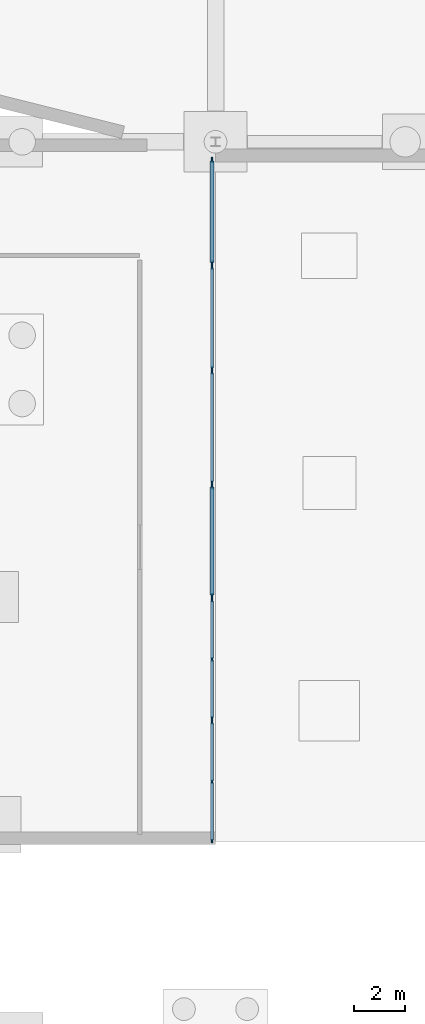
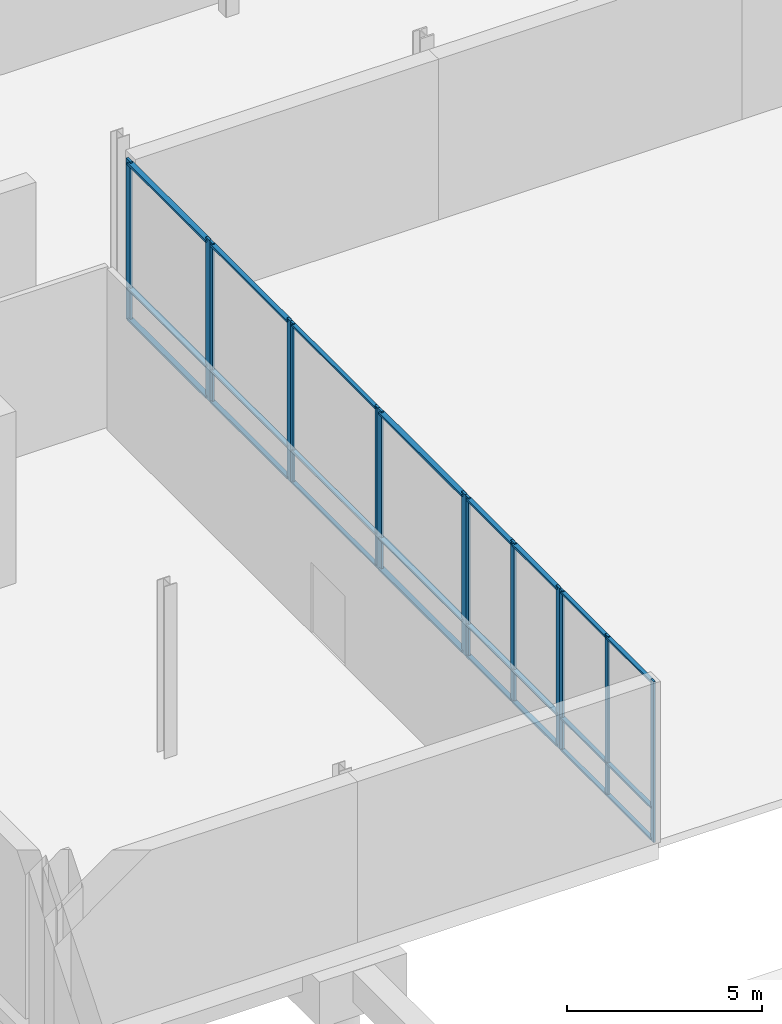
# One storey, part 36 of 60: 38 members, 6 elements without a shape of their own.
"""IFC4 building model written with IfcOpenShell, lengths in metres."""

from ifc_helpers import new_model, si_unit, direction, frame, origin, origin_2d, place, context, subcontext, project, spatial, rectangle, extrude, material, material_profile, profile_set, type_object, element, aggregate, save


model = new_model("IFC4")

# Units and contexts
model_context = context("Model", 3, precision=1e-05, world=origin(), true_north=direction((0.0, 1.0)))
body_context = subcontext(model_context, "Body", "Model", "MODEL_VIEW")
ifc_project = project(units=[si_unit("LENGTHUNIT", "METRE"), si_unit("AREAUNIT", "SQUARE_METRE"), si_unit("VOLUMEUNIT", "CUBIC_METRE"), si_unit("PLANEANGLEUNIT", "RADIAN"), si_unit("MASSUNIT", "GRAM", prefix="KILO")], contexts=[model_context])

# Site, building, storey
site_placement = place(None, origin())
site = spatial("IfcSite", under=ifc_project, at=site_placement, CompositionType="ELEMENT")
building_placement = place(site_placement, origin())
building = spatial("IfcBuilding", under=site, at=building_placement, Name="Trimount Lyric Opera House", CompositionType="ELEMENT")
storey_placement = place(building_placement, frame((0.0, 0.0, -5.39990234375)))
storey = spatial("IfcBuildingStorey", under=building, at=storey_placement, Name="B1", CompositionType="ELEMENT", Elevation=-5.39990234375)

# Curtain wall, members
ifc_material_1 = material(Name="Thermally Broken Aluminium and Low-E Glass", Category="aluminium")
curtain_wall_type = type_object("IfcCurtainWallType", Name="CW-04", PredefinedType="NOTDEFINED", material=ifc_material_1)
curtain_wall_1_placement = place(storey_placement, origin())
curtain_wall_1 = element("IfcCurtainWall", 1, at=curtain_wall_1_placement, inside=storey, type_object=curtain_wall_type, Name="B1 curtain wall 003", PredefinedType="NOTDEFINED")
ifc_material_2 = material(Name="Anodised Aluminium 6063-T6", Category="aluminium")
ifc_material_profile_1 = material_profile(ifc_material_2, rectangle(XDim=0.070068359375, YDim=0.219970703125, at=origin_2d()), Name="ALU-MULL-70X220")
ifc_profile_set_1 = profile_set([ifc_material_profile_1], Name="Anodised Aluminium 6063-T6")
member_type_1 = type_object("IfcMemberType", Name="ML-01", PredefinedType="MULLION", material=ifc_profile_set_1)
member_1_placement = place(storey_placement, frame((17.860107421875, 43.284912109375, 0.0), z_axis=(0.0, 0.0, 1.0), x_axis=(1.0, 0.0, 0.0)))
member_1 = element("IfcMember", 2, at=member_1_placement, type_object=member_type_1, Name="CW-04 mullion 1", PredefinedType="MULLION", context=body_context, shape_type="SweptSolid", body=[
    extrude(rectangle(XDim=0.070068359375, YDim=0.219970703125, at=origin_2d()), origin(), (0.0, 0.0, 1.0), 5.0498046875),
])
member_2_placement = place(storey_placement, frame((17.860107421875, 39.195068359375, 0.0), z_axis=(0.0, 0.0, 1.0), x_axis=(1.0, 0.0, 0.0)))
member_2 = element("IfcMember", 3, at=member_2_placement, type_object=member_type_1, Name="CW-04 mullion 2", PredefinedType="MULLION", context=body_context, shape_type="SweptSolid", body=[
    extrude(rectangle(XDim=0.070068359375, YDim=0.219970703125, at=origin_2d()), origin(), (0.0, 0.0, 1.0), 5.0498046875),
])

curtain_wall_2_placement = place(storey_placement, origin())
curtain_wall_2 = element("IfcCurtainWall", 4, at=curtain_wall_2_placement, inside=storey, type_object=curtain_wall_type, Name="B1 curtain wall 006", PredefinedType="NOTDEFINED")
member_3_placement = place(storey_placement, frame((17.860107421875, 30.375, 0.0), z_axis=(0.0, 0.0, 1.0), x_axis=(1.0, 0.0, 0.0)))
member_3 = element("IfcMember", 5, at=member_3_placement, type_object=member_type_1, Name="CW-04 mullion 1", PredefinedType="MULLION", context=body_context, shape_type="SweptSolid", body=[
    extrude(rectangle(XDim=0.070068359375, YDim=0.219970703125, at=origin_2d()), origin(), (0.0, 0.0, 1.0), 5.0498046875),
])
member_4_placement = place(storey_placement, frame((17.860107421875, 26.034912109375, 0.0), z_axis=(0.0, 0.0, 1.0), x_axis=(1.0, 0.0, 0.0)))
member_4 = element("IfcMember", 6, at=member_4_placement, type_object=member_type_1, Name="CW-04 mullion 2", PredefinedType="MULLION", context=body_context, shape_type="SweptSolid", body=[
    extrude(rectangle(XDim=0.070068359375, YDim=0.219970703125, at=origin_2d()), origin(), (0.0, 0.0, 1.0), 5.0498046875),
])

curtain_wall_3_placement = place(storey_placement, origin())
curtain_wall_3 = element("IfcCurtainWall", 7, at=curtain_wall_3_placement, inside=storey, type_object=curtain_wall_type, Name="B1 curtain wall 004", PredefinedType="NOTDEFINED")
ifc_material_3 = material(Name="Anodised Aluminium 6063-T6", Category="aluminium")
ifc_material_profile_2 = material_profile(ifc_material_3, rectangle(XDim=0.06494140625, YDim=0.179931640625, at=origin_2d()), Name="ALU-MULL-65X180")
ifc_profile_set_2 = profile_set([ifc_material_profile_2], Name="Anodised Aluminium 6063-T6")
member_type_2 = type_object("IfcMemberType", Name="ML-02", PredefinedType="MULLION", material=ifc_profile_set_2)
member_5_placement = place(storey_placement, frame((17.860107421875, 39.03759765625, 0.0), z_axis=(0.0, 0.0, 1.0), x_axis=(1.0, 0.0, 0.0)))
member_5 = element("IfcMember", 8, at=member_5_placement, type_object=member_type_2, Name="CW-04 mullion 1", PredefinedType="MULLION", context=body_context, shape_type="SweptSolid", body=[
    extrude(rectangle(XDim=0.06494140625, YDim=0.179931640625, at=origin_2d()), origin(), (0.0, 0.0, 1.0), 5.0498046875),
])
member_6_placement = place(storey_placement, frame((17.860107421875, 35.032470703125, 0.0), z_axis=(0.0, 0.0, 1.0), x_axis=(1.0, 0.0, 0.0)))
member_6 = element("IfcMember", 9, at=member_6_placement, type_object=member_type_2, Name="CW-04 mullion 2", PredefinedType="MULLION", context=body_context, shape_type="SweptSolid", body=[
    extrude(rectangle(XDim=0.06494140625, YDim=0.179931640625, at=origin_2d()), origin(), (0.0, 0.0, 1.0), 5.0498046875),
])

curtain_wall_4_placement = place(storey_placement, origin())
curtain_wall_4 = element("IfcCurtainWall", 10, at=curtain_wall_4_placement, inside=storey, type_object=curtain_wall_type, Name="B1 curtain wall 007", PredefinedType="NOTDEFINED")
member_7_placement = place(storey_placement, frame((17.860107421875, 25.87744140625, 0.0), z_axis=(0.0, 0.0, 1.0), x_axis=(1.0, 0.0, 0.0)))
member_7 = element("IfcMember", 11, at=member_7_placement, type_object=member_type_2, Name="CW-04 mullion 1", PredefinedType="MULLION", context=body_context, shape_type="SweptSolid", body=[
    extrude(rectangle(XDim=0.06494140625, YDim=0.179931640625, at=origin_2d()), origin(), (0.0, 0.0, 1.0), 5.0498046875),
])
member_8_placement = place(storey_placement, frame((17.860107421875, 23.534912109375, 0.0), z_axis=(0.0, 0.0, 1.0), x_axis=(1.0, 0.0, 0.0)))
member_8 = element("IfcMember", 12, at=member_8_placement, type_object=member_type_2, Name="CW-04 mullion 2", PredefinedType="MULLION", context=body_context, shape_type="SweptSolid", body=[
    extrude(rectangle(XDim=0.06494140625, YDim=0.179931640625, at=origin_2d()), origin(), (0.0, 0.0, 1.0), 5.0498046875),
])
member_9_placement = place(storey_placement, frame((17.860107421875, 21.1923828125, 0.0), z_axis=(0.0, 0.0, 1.0), x_axis=(1.0, 0.0, 0.0)))
member_9 = element("IfcMember", 13, at=member_9_placement, type_object=member_type_2, Name="CW-04 mullion 3", PredefinedType="MULLION", context=body_context, shape_type="SweptSolid", body=[
    extrude(rectangle(XDim=0.06494140625, YDim=0.179931640625, at=origin_2d()), origin(), (0.0, 0.0, 1.0), 5.0498046875),
])

curtain_wall_5_placement = place(storey_placement, origin())
curtain_wall_5 = element("IfcCurtainWall", 14, at=curtain_wall_5_placement, inside=storey, type_object=curtain_wall_type, Name="B1 curtain wall 005", PredefinedType="NOTDEFINED")
ifc_material_4 = material(Name="Anodised Aluminium 6063-T6", Category="aluminium")
ifc_material_profile_3 = material_profile(ifc_material_4, rectangle(XDim=0.06005859375, YDim=0.14990234375, at=origin_2d()), Name="ALU-MULL-60X150")
ifc_profile_set_3 = profile_set([ifc_material_profile_3], Name="Anodised Aluminium 6063-T6")
member_type_3 = type_object("IfcMemberType", Name="ML-03", PredefinedType="MULLION", material=ifc_profile_set_3)
member_10_placement = place(storey_placement, frame((17.860107421875, 34.8798828125, 0.0), z_axis=(0.0, 0.0, 1.0), x_axis=(1.0, 0.0, 0.0)))
member_10 = element("IfcMember", 15, at=member_10_placement, type_object=member_type_3, Name="CW-04 mullion 1", PredefinedType="MULLION", context=body_context, shape_type="SweptSolid", body=[
    extrude(rectangle(XDim=0.06005859375, YDim=0.14990234375, at=origin_2d()), origin(), (0.0, 0.0, 1.0), 5.0498046875),
])
member_11_placement = place(storey_placement, frame((17.860107421875, 30.530029296875, 0.0), z_axis=(0.0, 0.0, 1.0), x_axis=(1.0, 0.0, 0.0)))
member_11 = element("IfcMember", 16, at=member_11_placement, type_object=member_type_3, Name="CW-04 mullion 2", PredefinedType="MULLION", context=body_context, shape_type="SweptSolid", body=[
    extrude(rectangle(XDim=0.06005859375, YDim=0.14990234375, at=origin_2d()), origin(), (0.0, 0.0, 1.0), 5.0498046875),
])

curtain_wall_6_placement = place(storey_placement, origin())
curtain_wall_6 = element("IfcCurtainWall", 17, at=curtain_wall_6_placement, inside=storey, type_object=curtain_wall_type, Name="B1 curtain wall 008", PredefinedType="NOTDEFINED")
member_12_placement = place(storey_placement, frame((17.860107421875, 21.0400390625, 0.0), z_axis=(0.0, 0.0, 1.0), x_axis=(1.0, 0.0, 0.0)))
member_12 = element("IfcMember", 18, at=member_12_placement, type_object=member_type_3, Name="CW-04 mullion 1", PredefinedType="MULLION", context=body_context, shape_type="SweptSolid", body=[
    extrude(rectangle(XDim=0.06005859375, YDim=0.14990234375, at=origin_2d()), origin(), (0.0, 0.0, 1.0), 5.0498046875),
])
member_13_placement = place(storey_placement, frame((17.860107421875, 18.695068359375, 0.0), z_axis=(0.0, 0.0, 1.0), x_axis=(1.0, 0.0, 0.0)))
member_13 = element("IfcMember", 19, at=member_13_placement, type_object=member_type_3, Name="CW-04 mullion 2", PredefinedType="MULLION", context=body_context, shape_type="SweptSolid", body=[
    extrude(rectangle(XDim=0.06005859375, YDim=0.14990234375, at=origin_2d()), origin(), (0.0, 0.0, 1.0), 5.0498046875),
])
member_14_placement = place(storey_placement, frame((17.860107421875, 16.35009765625, 0.0), z_axis=(0.0, 0.0, 1.0), x_axis=(1.0, 0.0, 0.0)))
member_14 = element("IfcMember", 20, at=member_14_placement, type_object=member_type_3, Name="CW-04 mullion 3", PredefinedType="MULLION", context=body_context, shape_type="SweptSolid", body=[
    extrude(rectangle(XDim=0.06005859375, YDim=0.14990234375, at=origin_2d()), origin(), (0.0, 0.0, 1.0), 5.0498046875),
])

# Member
ifc_material_5 = material(Name="Anodised Aluminium 6063-T6", Category="aluminium")
ifc_material_profile_4 = material_profile(ifc_material_5, rectangle(XDim=0.159912109375, YDim=0.070068359375, at=origin_2d()), Name="ALU-TRAN-70X160")
ifc_profile_set_4 = profile_set([ifc_material_profile_4], Name="Anodised Aluminium 6063-T6")
member_type_4 = type_object("IfcMemberType", Name="TR-01", PredefinedType="USERDEFINED", material=ifc_profile_set_4)
member_15_placement = place(storey_placement, frame((17.860107421875, 43.25, 0.079833984375), z_axis=(0.0, -1.0, 0.0), x_axis=(1.0, 0.0, 0.0)))
member_15 = element("IfcMember", 21, at=member_15_placement, type_object=member_type_4, Name="CW-04 transom 1.1", ObjectType="TRANSOM", PredefinedType="USERDEFINED", context=body_context, shape_type="SweptSolid", body=[
    extrude(rectangle(XDim=0.159912109375, YDim=0.070068359375, at=origin_2d()), origin(), (0.0, 0.0, 1.0), 4.02001953125),
])

member_16_placement = place(storey_placement, frame((17.860107421875, 43.25, 1.0498046875), z_axis=(0.0, -1.0, 0.0), x_axis=(1.0, 0.0, 0.0)))
member_16 = element("IfcMember", 22, at=member_16_placement, type_object=member_type_4, Name="CW-04 transom 1.2", ObjectType="TRANSOM", PredefinedType="USERDEFINED", context=body_context, shape_type="SweptSolid", body=[
    extrude(rectangle(XDim=0.159912109375, YDim=0.070068359375, at=origin_2d()), origin(), (0.0, 0.0, 1.0), 4.02001953125),
])

member_17_placement = place(storey_placement, frame((17.860107421875, 43.25, 4.969970703125), z_axis=(0.0, -1.0, 0.0), x_axis=(1.0, 0.0, 0.0)))
member_17 = element("IfcMember", 23, at=member_17_placement, type_object=member_type_4, Name="CW-04 transom 1.3", ObjectType="TRANSOM", PredefinedType="USERDEFINED", context=body_context, shape_type="SweptSolid", body=[
    extrude(rectangle(XDim=0.159912109375, YDim=0.070068359375, at=origin_2d()), origin(), (0.0, 0.0, 1.0), 4.02001953125),
])

aggregate(curtain_wall_1, [member_1, member_2, member_15, member_16, member_17])

member_18_placement = place(storey_placement, frame((17.860107421875, 30.340087890625, 0.079833984375), z_axis=(0.0, -1.0, 0.0), x_axis=(1.0, 0.0, 0.0)))
member_18 = element("IfcMember", 24, at=member_18_placement, type_object=member_type_4, Name="CW-04 transom 1.1", ObjectType="TRANSOM", PredefinedType="USERDEFINED", context=body_context, shape_type="SweptSolid", body=[
    extrude(rectangle(XDim=0.159912109375, YDim=0.070068359375, at=origin_2d()), origin(), (0.0, 0.0, 1.0), 4.27001953125),
])

member_19_placement = place(storey_placement, frame((17.860107421875, 30.340087890625, 1.0498046875), z_axis=(0.0, -1.0, 0.0), x_axis=(1.0, 0.0, 0.0)))
member_19 = element("IfcMember", 25, at=member_19_placement, type_object=member_type_4, Name="CW-04 transom 1.2", ObjectType="TRANSOM", PredefinedType="USERDEFINED", context=body_context, shape_type="SweptSolid", body=[
    extrude(rectangle(XDim=0.159912109375, YDim=0.070068359375, at=origin_2d()), origin(), (0.0, 0.0, 1.0), 4.27001953125),
])

member_20_placement = place(storey_placement, frame((17.860107421875, 30.340087890625, 4.969970703125), z_axis=(0.0, -1.0, 0.0), x_axis=(1.0, 0.0, 0.0)))
member_20 = element("IfcMember", 26, at=member_20_placement, type_object=member_type_4, Name="CW-04 transom 1.3", ObjectType="TRANSOM", PredefinedType="USERDEFINED", context=body_context, shape_type="SweptSolid", body=[
    extrude(rectangle(XDim=0.159912109375, YDim=0.070068359375, at=origin_2d()), origin(), (0.0, 0.0, 1.0), 4.27001953125),
])

aggregate(curtain_wall_2, [member_3, member_4, member_18, member_19, member_20])

ifc_material_6 = material(Name="Anodised Aluminium 6063-T6", Category="aluminium")
ifc_material_profile_5 = material_profile(ifc_material_6, rectangle(XDim=0.135009765625, YDim=0.06494140625, at=origin_2d()), Name="ALU-TRAN-65X135")
ifc_profile_set_5 = profile_set([ifc_material_profile_5], Name="Anodised Aluminium 6063-T6")
member_type_5 = type_object("IfcMemberType", Name="TR-02", PredefinedType="USERDEFINED", material=ifc_profile_set_5)
member_21_placement = place(storey_placement, frame((17.860107421875, 39.0048828125, 0.0673828125), z_axis=(0.0, -1.0, 0.0), x_axis=(1.0, 0.0, 0.0)))
member_21 = element("IfcMember", 27, at=member_21_placement, type_object=member_type_5, Name="CW-04 transom 1.1", ObjectType="TRANSOM", PredefinedType="USERDEFINED", context=body_context, shape_type="SweptSolid", body=[
    extrude(rectangle(XDim=0.135009765625, YDim=0.06494140625, at=origin_2d()), origin(), (0.0, 0.0, 1.0), 3.93994140625),
])

member_22_placement = place(storey_placement, frame((17.860107421875, 39.0048828125, 1.0498046875), z_axis=(0.0, -1.0, 0.0), x_axis=(1.0, 0.0, 0.0)))
member_22 = element("IfcMember", 28, at=member_22_placement, type_object=member_type_5, Name="CW-04 transom 1.2", ObjectType="TRANSOM", PredefinedType="USERDEFINED", context=body_context, shape_type="SweptSolid", body=[
    extrude(rectangle(XDim=0.135009765625, YDim=0.06494140625, at=origin_2d()), origin(), (0.0, 0.0, 1.0), 3.93994140625),
])

member_23_placement = place(storey_placement, frame((17.860107421875, 39.0048828125, 4.982421875), z_axis=(0.0, -1.0, 0.0), x_axis=(1.0, 0.0, 0.0)))
member_23 = element("IfcMember", 29, at=member_23_placement, type_object=member_type_5, Name="CW-04 transom 1.3", ObjectType="TRANSOM", PredefinedType="USERDEFINED", context=body_context, shape_type="SweptSolid", body=[
    extrude(rectangle(XDim=0.135009765625, YDim=0.06494140625, at=origin_2d()), origin(), (0.0, 0.0, 1.0), 3.93994140625),
])

aggregate(curtain_wall_3, [member_5, member_6, member_21, member_22, member_23])

member_24_placement = place(storey_placement, frame((17.860107421875, 25.844970703125, 0.0673828125), z_axis=(0.0, -1.0, 0.0), x_axis=(1.0, 0.0, 0.0)))
member_24 = element("IfcMember", 30, at=member_24_placement, type_object=member_type_5, Name="CW-04 transom 1.1", ObjectType="TRANSOM", PredefinedType="USERDEFINED", context=body_context, shape_type="SweptSolid", body=[
    extrude(rectangle(XDim=0.135009765625, YDim=0.06494140625, at=origin_2d()), origin(), (0.0, 0.0, 1.0), 2.277587890625),
])

member_25_placement = place(storey_placement, frame((17.860107421875, 25.844970703125, 1.0498046875), z_axis=(0.0, -1.0, 0.0), x_axis=(1.0, 0.0, 0.0)))
member_25 = element("IfcMember", 31, at=member_25_placement, type_object=member_type_5, Name="CW-04 transom 1.2", ObjectType="TRANSOM", PredefinedType="USERDEFINED", context=body_context, shape_type="SweptSolid", body=[
    extrude(rectangle(XDim=0.135009765625, YDim=0.06494140625, at=origin_2d()), origin(), (0.0, 0.0, 1.0), 2.277587890625),
])

member_26_placement = place(storey_placement, frame((17.860107421875, 25.844970703125, 4.982421875), z_axis=(0.0, -1.0, 0.0), x_axis=(1.0, 0.0, 0.0)))
member_26 = element("IfcMember", 32, at=member_26_placement, type_object=member_type_5, Name="CW-04 transom 1.3", ObjectType="TRANSOM", PredefinedType="USERDEFINED", context=body_context, shape_type="SweptSolid", body=[
    extrude(rectangle(XDim=0.135009765625, YDim=0.06494140625, at=origin_2d()), origin(), (0.0, 0.0, 1.0), 2.277587890625),
])

member_27_placement = place(storey_placement, frame((17.860107421875, 23.50244140625, 0.0673828125), z_axis=(0.0, -1.0, 0.0), x_axis=(1.0, 0.0, 0.0)))
member_27 = element("IfcMember", 33, at=member_27_placement, type_object=member_type_5, Name="CW-04 transom 2.1", ObjectType="TRANSOM", PredefinedType="USERDEFINED", context=body_context, shape_type="SweptSolid", body=[
    extrude(rectangle(XDim=0.135009765625, YDim=0.06494140625, at=origin_2d()), origin(), (0.0, 0.0, 1.0), 2.27734375),
])

member_28_placement = place(storey_placement, frame((17.860107421875, 23.50244140625, 1.0498046875), z_axis=(0.0, -1.0, 0.0), x_axis=(1.0, 0.0, 0.0)))
member_28 = element("IfcMember", 34, at=member_28_placement, type_object=member_type_5, Name="CW-04 transom 2.2", ObjectType="TRANSOM", PredefinedType="USERDEFINED", context=body_context, shape_type="SweptSolid", body=[
    extrude(rectangle(XDim=0.135009765625, YDim=0.06494140625, at=origin_2d()), origin(), (0.0, 0.0, 1.0), 2.27734375),
])

member_29_placement = place(storey_placement, frame((17.860107421875, 23.50244140625, 4.982421875), z_axis=(0.0, -1.0, 0.0), x_axis=(1.0, 0.0, 0.0)))
member_29 = element("IfcMember", 35, at=member_29_placement, type_object=member_type_5, Name="CW-04 transom 2.3", ObjectType="TRANSOM", PredefinedType="USERDEFINED", context=body_context, shape_type="SweptSolid", body=[
    extrude(rectangle(XDim=0.135009765625, YDim=0.06494140625, at=origin_2d()), origin(), (0.0, 0.0, 1.0), 2.27734375),
])

aggregate(curtain_wall_4, [member_7, member_8, member_9, member_24, member_25, member_26, member_27, member_28, member_29])

ifc_material_7 = material(Name="Anodised Aluminium 6063-T6", Category="aluminium")
ifc_material_profile_6 = material_profile(ifc_material_7, rectangle(XDim=0.114990234375, YDim=0.06005859375, at=origin_2d()), Name="ALU-TRAN-60X115")
ifc_profile_set_6 = profile_set([ifc_material_profile_6], Name="Anodised Aluminium 6063-T6")
member_type_6 = type_object("IfcMemberType", Name="TR-03", PredefinedType="USERDEFINED", material=ifc_profile_set_6)
member_30_placement = place(storey_placement, frame((17.860107421875, 34.85009765625, 0.057373046875), z_axis=(0.0, -1.0, 0.0), x_axis=(1.0, 0.0, 0.0)))
member_30 = element("IfcMember", 36, at=member_30_placement, type_object=member_type_6, Name="CW-04 transom 1.1", ObjectType="TRANSOM", PredefinedType="USERDEFINED", context=body_context, shape_type="SweptSolid", body=[
    extrude(rectangle(XDim=0.114990234375, YDim=0.06005859375, at=origin_2d()), origin(), (0.0, 0.0, 1.0), 4.2900390625),
])

member_31_placement = place(storey_placement, frame((17.860107421875, 34.85009765625, 1.0498046875), z_axis=(0.0, -1.0, 0.0), x_axis=(1.0, 0.0, 0.0)))
member_31 = element("IfcMember", 37, at=member_31_placement, type_object=member_type_6, Name="CW-04 transom 1.2", ObjectType="TRANSOM", PredefinedType="USERDEFINED", context=body_context, shape_type="SweptSolid", body=[
    extrude(rectangle(XDim=0.114990234375, YDim=0.06005859375, at=origin_2d()), origin(), (0.0, 0.0, 1.0), 4.2900390625),
])

member_32_placement = place(storey_placement, frame((17.860107421875, 34.85009765625, 4.992431640625), z_axis=(0.0, -1.0, 0.0), x_axis=(1.0, 0.0, 0.0)))
member_32 = element("IfcMember", 38, at=member_32_placement, type_object=member_type_6, Name="CW-04 transom 1.3", ObjectType="TRANSOM", PredefinedType="USERDEFINED", context=body_context, shape_type="SweptSolid", body=[
    extrude(rectangle(XDim=0.114990234375, YDim=0.06005859375, at=origin_2d()), origin(), (0.0, 0.0, 1.0), 4.2900390625),
])

aggregate(curtain_wall_5, [member_10, member_11, member_30, member_31, member_32])

member_33_placement = place(storey_placement, frame((17.860107421875, 21.010009765625, 0.057373046875), z_axis=(0.0, -1.0, 0.0), x_axis=(1.0, 0.0, 0.0)))
member_33 = element("IfcMember", 39, at=member_33_placement, type_object=member_type_6, Name="CW-04 transom 1.1", ObjectType="TRANSOM", PredefinedType="USERDEFINED", context=body_context, shape_type="SweptSolid", body=[
    extrude(rectangle(XDim=0.114990234375, YDim=0.06005859375, at=origin_2d()), origin(), (0.0, 0.0, 1.0), 2.284912109375),
])

member_34_placement = place(storey_placement, frame((17.860107421875, 21.010009765625, 1.0498046875), z_axis=(0.0, -1.0, 0.0), x_axis=(1.0, 0.0, 0.0)))
member_34 = element("IfcMember", 40, at=member_34_placement, type_object=member_type_6, Name="CW-04 transom 1.2", ObjectType="TRANSOM", PredefinedType="USERDEFINED", context=body_context, shape_type="SweptSolid", body=[
    extrude(rectangle(XDim=0.114990234375, YDim=0.06005859375, at=origin_2d()), origin(), (0.0, 0.0, 1.0), 2.284912109375),
])

member_35_placement = place(storey_placement, frame((17.860107421875, 21.010009765625, 4.992431640625), z_axis=(0.0, -1.0, 0.0), x_axis=(1.0, 0.0, 0.0)))
member_35 = element("IfcMember", 41, at=member_35_placement, type_object=member_type_6, Name="CW-04 transom 1.3", ObjectType="TRANSOM", PredefinedType="USERDEFINED", context=body_context, shape_type="SweptSolid", body=[
    extrude(rectangle(XDim=0.114990234375, YDim=0.06005859375, at=origin_2d()), origin(), (0.0, 0.0, 1.0), 2.284912109375),
])

member_36_placement = place(storey_placement, frame((17.860107421875, 18.6650390625, 0.057373046875), z_axis=(0.0, -1.0, 0.0), x_axis=(1.0, 0.0, 0.0)))
member_36 = element("IfcMember", 42, at=member_36_placement, type_object=member_type_6, Name="CW-04 transom 2.1", ObjectType="TRANSOM", PredefinedType="USERDEFINED", context=body_context, shape_type="SweptSolid", body=[
    extrude(rectangle(XDim=0.114990234375, YDim=0.06005859375, at=origin_2d()), origin(), (0.0, 0.0, 1.0), 2.28515625),
])

member_37_placement = place(storey_placement, frame((17.860107421875, 18.6650390625, 1.0498046875), z_axis=(0.0, -1.0, 0.0), x_axis=(1.0, 0.0, 0.0)))
member_37 = element("IfcMember", 43, at=member_37_placement, type_object=member_type_6, Name="CW-04 transom 2.2", ObjectType="TRANSOM", PredefinedType="USERDEFINED", context=body_context, shape_type="SweptSolid", body=[
    extrude(rectangle(XDim=0.114990234375, YDim=0.06005859375, at=origin_2d()), origin(), (0.0, 0.0, 1.0), 2.28515625),
])

member_38_placement = place(storey_placement, frame((17.860107421875, 18.6650390625, 4.992431640625), z_axis=(0.0, -1.0, 0.0), x_axis=(1.0, 0.0, 0.0)))
member_38 = element("IfcMember", 44, at=member_38_placement, type_object=member_type_6, Name="CW-04 transom 2.3", ObjectType="TRANSOM", PredefinedType="USERDEFINED", context=body_context, shape_type="SweptSolid", body=[
    extrude(rectangle(XDim=0.114990234375, YDim=0.06005859375, at=origin_2d()), origin(), (0.0, 0.0, 1.0), 2.28515625),
])

aggregate(curtain_wall_6, [member_12, member_13, member_14, member_33, member_34, member_35, member_36, member_37, member_38])

save(model, "model.ifc")
